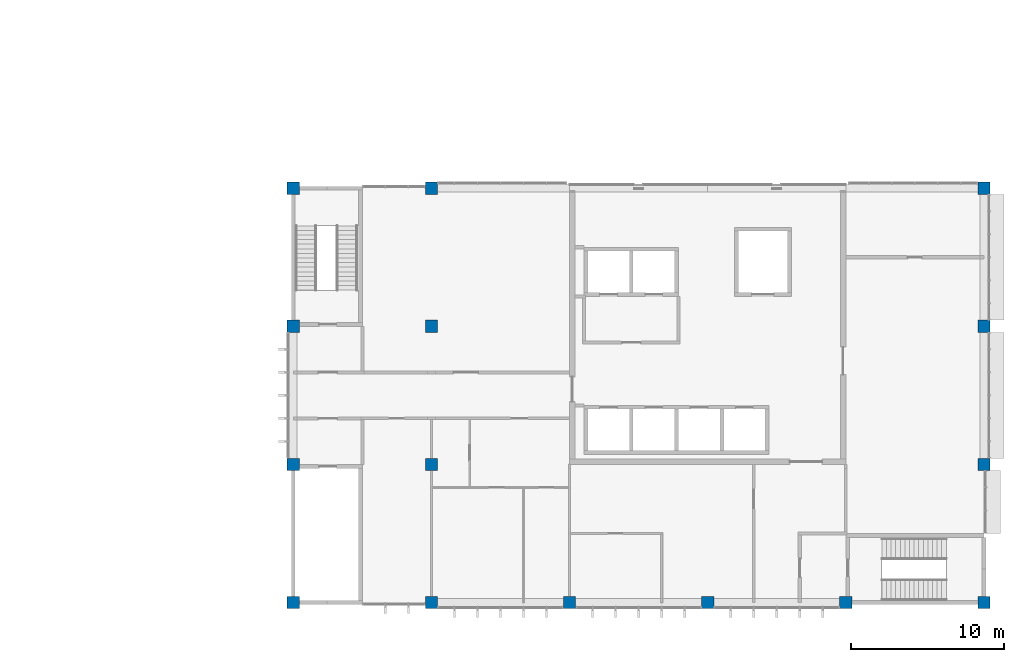
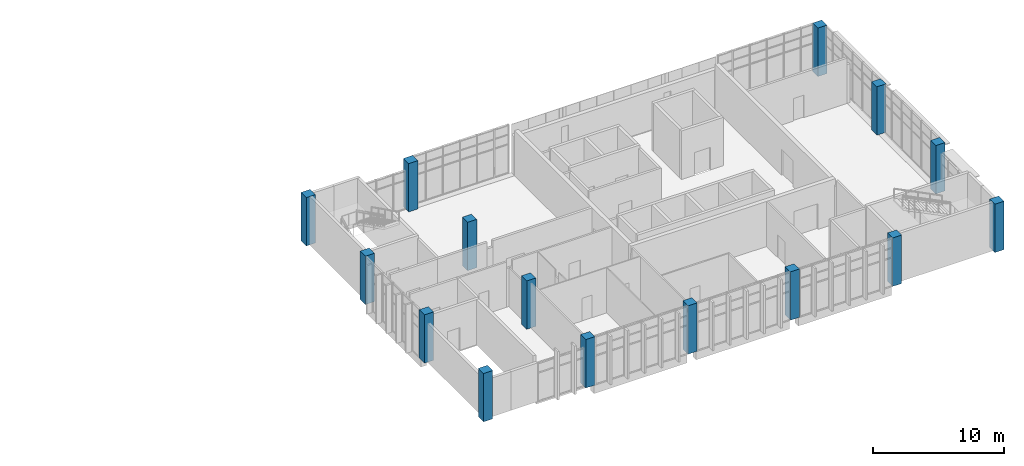
# One storey, part 1 of 19: 15 columns.
"""IFC4 building model written with IfcOpenShell, lengths in metres."""

import ifcopenshell
import ifcopenshell.guid

model = None  # the IFC model being written
_history = None  # IfcOwnerHistory: only IFC2X3 demands one
_inside = {}  # id of a spatial element -> (the spatial element, [elements in it])
_under = {}  # id of a project, library or spatial element -> (it, [spatial elements below it])
_declared = {}  # id of a project -> (the project, [libraries it declares])
_typed = {}  # id of a type object -> (the type object, [elements of that type])
_made_of = {}  # id of a material, layer set ... -> (it, [elements and type objects made of it])


def new_model(schema):
    """Start an empty IFC model of exactly this schema.

    Asked for "IFC4X3", IfcOpenShell would pick the latest addendum, in which some entities
    have other attributes; the version numbers below select the first issue.
    IFC2X3 requires an IfcOwnerHistory on every rooted entity: one is made here for all.
    """
    global model, _history
    if schema == "IFC4X3":
        model = ifcopenshell.file(schema_version=(4, 3, 0, 0))
    else:
        model = ifcopenshell.file(schema=schema)
    _inside.clear()
    _under.clear()
    _declared.clear()
    _typed.clear()
    _made_of.clear()
    _history = None
    if model.schema == "IFC2X3":
        org = make("IfcOrganization", Name="unknown")
        user = make(
            "IfcPersonAndOrganization",
            ThePerson=make("IfcPerson", FamilyName="unknown"),
            TheOrganization=org,
        )
        app = make(
            "IfcApplication",
            ApplicationDeveloper=org,
            Version="unknown",
            ApplicationFullName="unknown",
            ApplicationIdentifier="unknown",
        )
        _history = make(
            "IfcOwnerHistory",
            OwningUser=user,
            OwningApplication=app,
            ChangeAction="ADDED",
            CreationDate=0,
        )
    return model


def make(cls, **values):
    """One entity of the class cls with the attributes given. An attribute that is None is left unset."""
    return model.create_entity(
        cls, **{name: value for name, value in values.items() if value is not None}
    )


def rooted(cls, **values):
    """An entity with a GlobalId (a new one), such as an element, a storey or a relation."""
    return make(cls, GlobalId=ifcopenshell.guid.new(), OwnerHistory=_history, **values)


def si_unit(unit_type, name, prefix=None):
    """IfcSIUnit, for example si_unit("LENGTHUNIT", "METRE", prefix="MILLI")."""
    return make("IfcSIUnit", UnitType=unit_type, Prefix=prefix, Name=name)


def assignment(units):
    """IfcUnitAssignment: the units of a project."""
    return None if units is None else make("IfcUnitAssignment", Units=units)


def point(xyz):
    """IfcCartesianPoint."""
    return None if xyz is None else make("IfcCartesianPoint", Coordinates=xyz)


def direction(xyz):
    """IfcDirection."""
    return None if xyz is None else make("IfcDirection", DirectionRatios=xyz)


def frame(location, z_axis=None, x_axis=None):
    """IfcAxis2Placement3D, a coordinate frame: its origin and axes. An axis left out is left unset."""
    return make(
        "IfcAxis2Placement3D",
        Location=point(location),
        Axis=direction(z_axis),
        RefDirection=direction(x_axis),
    )


def frame_2d(location, x_axis=None):
    """IfcAxis2Placement2D, a coordinate frame in the plane: its origin and x axis."""
    return make(
        "IfcAxis2Placement2D", Location=point(location), RefDirection=direction(x_axis)
    )


def origin():
    """The frame at (0, 0, 0) with its axes left unset."""
    return frame((0.0, 0.0, 0.0))


def origin_2d():
    """The frame at (0, 0) in the plane with its x axis left unset."""
    return frame_2d((0.0, 0.0))


def place(relative_to, where):
    """IfcLocalPlacement: puts the frame where relative to a parent placement (None: the world)."""
    return make(
        "IfcLocalPlacement", PlacementRelTo=relative_to, RelativePlacement=where
    )


def context(
    kind, dimensions, precision=None, world=None, true_north=None, identifier=None
):
    """IfcGeometricRepresentationContext, for example the 3D "Model" context."""
    return make(
        "IfcGeometricRepresentationContext",
        ContextIdentifier=identifier,
        ContextType=kind,
        CoordinateSpaceDimension=dimensions,
        Precision=precision,
        WorldCoordinateSystem=world,
        TrueNorth=true_north,
    )


def subcontext(parent, identifier, kind, view, scale=None):
    """IfcGeometricRepresentationSubContext, for example "Body" below "Model"."""
    return make(
        "IfcGeometricRepresentationSubContext",
        ContextIdentifier=identifier,
        ContextType=kind,
        ParentContext=parent,
        TargetScale=scale,
        TargetView=view,
    )


def project(units=None, contexts=None):
    """IfcProject with its units and contexts."""
    return rooted(
        "IfcProject",
        Name="project",
        RepresentationContexts=contexts,
        UnitsInContext=assignment(units),
    )


def spatial(cls, under=None, at=None, **own):
    """A site, building, storey or space (cls), placed at a placement, below another one or the project."""
    s = rooted(cls, ObjectPlacement=at, **own)
    if under is not None:
        _under.setdefault(under.id(), (under, []))[1].append(s)
    return s


def profile(cls, at=None, kind="AREA", **sizes):
    """A parametric profile (cls). Its sizes go by their IFC names, for example OverallWidth=200.0."""
    return make(cls, ProfileType=kind, Position=at, **sizes)


def rectangle(**sizes):
    """IfcRectangleProfileDef."""
    return profile("IfcRectangleProfileDef", **sizes)


def extrude(swept, where, along, depth):
    """IfcExtrudedAreaSolid: the profile swept, set in the frame where, extruded along a direction by depth."""
    return make(
        "IfcExtrudedAreaSolid",
        SweptArea=swept,
        Position=where,
        ExtrudedDirection=direction(along),
        Depth=depth,
    )


def shape(context_of_items, identifier, shape_type, items):
    """IfcShapeRepresentation: the items that make up one representation, for example the "Body"."""
    return make(
        "IfcShapeRepresentation",
        ContextOfItems=context_of_items,
        RepresentationIdentifier=identifier,
        RepresentationType=shape_type,
        Items=items,
    )


def material(Name=None, Category=None):
    """IfcMaterial."""
    return make("IfcMaterial", Name=Name, Category=Category)


def material_profile(
    of_material, cross_section, Name=None, Category=None, Priority=None
):
    """IfcMaterialProfile: a cross section and its material."""
    return make(
        "IfcMaterialProfile",
        Name=Name,
        Material=of_material,
        Profile=cross_section,
        Priority=Priority,
        Category=Category,
    )


def profile_set(profiles, Name=None, composite=None):
    """IfcMaterialProfileSet."""
    return make(
        "IfcMaterialProfileSet",
        Name=Name,
        MaterialProfiles=profiles,
        CompositeProfile=composite,
    )


def made_of(thing, what):
    """Note that an element or type object is made of a material, layer set ...; save() writes the relation."""
    if what is not None:
        _made_of.setdefault(what.id(), (what, []))[1].append(thing)
    return thing


def type_object(cls, material=None, **own):
    """A type object (cls), such as IfcWallType, which elements share."""
    return made_of(rooted(cls, **own), material)


def element(
    cls,
    number,
    at=None,
    inside=None,
    cuts=None,
    type_object=None,
    material=None,
    context=None,
    identifier="Body",
    shape_type=None,
    held_by="IfcProductDefinitionShape",
    body=None,
    shapes=None,
    **own,
):
    """One element of the class cls, such as IfcWall. Its Tag is "e" and its number.

    at: its placement. inside: the storey or other place that contains it. cuts: it is an
    opening in that element (IfcRelVoidsElement). A single representation is given by context,
    identifier, shape_type and body (its items); several are given by shapes. held_by: the class
    of the entity that holds the representations. save() writes the other relations.
    """
    e = rooted(cls, Tag="e%d" % number, ObjectPlacement=at, **own)
    if body is not None:
        shapes = [shape(context, identifier, shape_type, body)]
    if shapes is not None:
        e.Representation = make(held_by, Representations=shapes)
    if inside is not None:
        _inside.setdefault(inside.id(), (inside, []))[1].append(e)
    if cuts is not None:
        rooted(
            "IfcRelVoidsElement", RelatingBuildingElement=cuts, RelatedOpeningElement=e
        )
    if type_object is not None:
        _typed.setdefault(type_object.id(), (type_object, []))[1].append(e)
    return made_of(e, material)


def aggregate(whole, parts):
    """IfcRelAggregates: a whole, such as a stair, and the parts it consists of."""
    return rooted("IfcRelAggregates", RelatingObject=whole, RelatedObjects=parts)


def save(model, path):
    """Write the relations noted so far, then the file.

    IfcRelAggregates (storeys below a building ...), IfcRelContainedInSpatialStructure (elements
    in a storey), IfcRelDefinesByType, IfcRelAssociatesMaterial and IfcRelDeclares: one each for
    every whole, place, type object, material and project.
    """
    for whole, parts in _under.values():
        aggregate(whole, parts)
    for where, things in _inside.values():
        rooted(
            "IfcRelContainedInSpatialStructure",
            RelatedElements=things,
            RelatingStructure=where,
        )
    for kind, things in _typed.values():
        rooted("IfcRelDefinesByType", RelatedObjects=things, RelatingType=kind)
    for what, things in _made_of.values():
        rooted("IfcRelAssociatesMaterial", RelatedObjects=things, RelatingMaterial=what)
    for by, libraries in _declared.values():
        rooted("IfcRelDeclares", RelatingContext=by, RelatedDefinitions=libraries)
    model.write(path)


model = new_model("IFC4")

# Units and contexts
model_context = context("Model", 3, precision=1e-05, world=origin(), true_north=direction((0.0, 1.0)))
body_context = subcontext(model_context, "Body", "Model", "MODEL_VIEW")
ifc_project = project(units=[si_unit("LENGTHUNIT", "METRE"), si_unit("AREAUNIT", "SQUARE_METRE"), si_unit("VOLUMEUNIT", "CUBIC_METRE"), si_unit("PLANEANGLEUNIT", "RADIAN"), si_unit("MASSUNIT", "GRAM", prefix="KILO")], contexts=[model_context])

# Site, building, storey
site_placement = place(None, origin())
site = spatial("IfcSite", under=ifc_project, at=site_placement, CompositionType="ELEMENT")
building_placement = place(site_placement, origin())
building = spatial("IfcBuilding", under=site, at=building_placement, Name="Guidao Yard Department Store", CompositionType="ELEMENT")
storey_placement = place(building_placement, frame((0.0, 0.0, 33.0)))
storey = spatial("IfcBuildingStorey", under=building, at=storey_placement, Name="L07", CompositionType="ELEMENT", Elevation=33.0)

# Columns
ifc_material = material(Name="Concrete C40", Category="concrete")
ifc_material_profile = material_profile(ifc_material, rectangle(XDim=0.800048828125, YDim=0.800048828125, at=origin_2d()), Name="COL 800x800")
ifc_profile_set = profile_set([ifc_material_profile], Name="Concrete C40")
column_type = type_object("IfcColumnType", Name="Column 800x800 C40", PredefinedType="COLUMN", material=ifc_profile_set)
for number, where, z_axis, x_axis, name in (
    (1, (126.0, 0.0, 0.0), (0.0, 0.0, 1.0), (1.0, 0.0, 0.0), "Column 15/A L07"),
    (2, (135.0, 0.0, 0.0), (0.0, 0.0, 1.0), (1.0, 0.0, 0.0), "Column 16/A L07"),
    (3, (144.0, 0.0, 0.0), (0.0, 0.0, 1.0), (1.0, 0.0, 0.0), "Column 17/A L07"),
    (4, (153.0, 0.0, 0.0), (0.0, 0.0, 1.0), (1.0, 0.0, 0.0), "Column 18/A L07"),
    (5, (162.0, 0.0, 0.0), (0.0, 0.0, 1.0), (1.0, 0.0, 0.0), "Column 19/A L07"),
    (6, (171.0, 0.0, 0.0), (0.0, 0.0, 1.0), (1.0, 0.0, 0.0), "Column 20/A L07"),
    (7, (126.0, 9.0, 0.0), (0.0, 0.0, 1.0), (1.0, 0.0, 0.0), "Column 15/B L07"),
    (8, (135.0, 9.0, 0.0), (0.0, 0.0, 1.0), (1.0, 0.0, 0.0), "Column 16/B L07"),
    (9, (171.0, 9.0, 0.0), (0.0, 0.0, 1.0), (1.0, 0.0, 0.0), "Column 20/B L07"),
    (10, (126.0, 18.0, 0.0), (0.0, 0.0, 1.0), (1.0, 0.0, 0.0), "Column 15/C L07"),
    (11, (135.0, 18.0, 0.0), (0.0, 0.0, 1.0), (1.0, 0.0, 0.0), "Column 16/C L07"),
    (12, (171.0, 18.0, 0.0), (0.0, 0.0, 1.0), (1.0, 0.0, 0.0), "Column 20/C L07"),
    (13, (126.0, 27.0, 0.0), (0.0, 0.0, 1.0), (1.0, 0.0, 0.0), "Column 15/D L07"),
    (14, (135.0, 27.0, 0.0), (0.0, 0.0, 1.0), (1.0, 0.0, 0.0), "Column 16/D L07"),
    (15, (171.0, 27.0, 0.0), (0.0, 0.0, 1.0), (1.0, 0.0, 0.0), "Column 20/D L07"),
):
    element("IfcColumn", number, at=place(storey_placement, frame(where, z_axis=z_axis, x_axis=x_axis)), inside=storey, type_object=column_type, Name=name, PredefinedType="COLUMN", context=body_context, shape_type="SweptSolid", body=[
        extrude(rectangle(XDim=0.800048828125, YDim=0.800048828125, at=origin_2d()), origin(), (0.0, 0.0, 1.0), 4.5),
    ])

save(model, "model.ifc")
